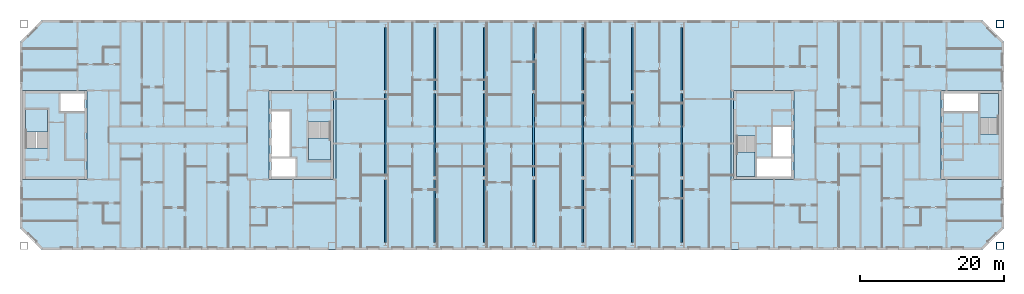
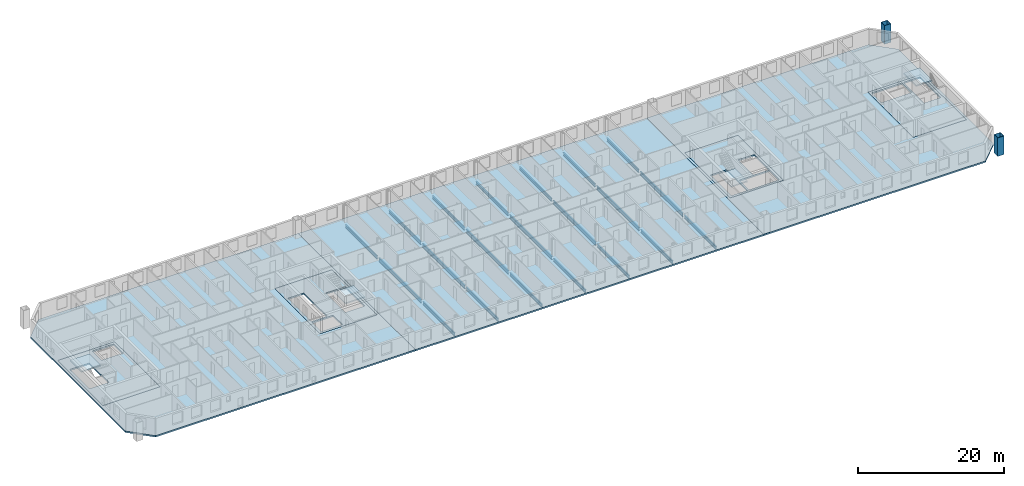
# One storey, part 3 of 19: 21 beams, 11 slabs, 2 columns, 4 elements without a shape of their own.
"""IFC4 building model written with IfcOpenShell, lengths in metres."""

from ifc_helpers import new_model, si_unit, direction, frame, origin, origin_2d, place, context, subcontext, project, spatial, polyline, hollow_rectangle, i_section, outline, extrude, material, layer, layer_set, material_profile, profile_set, type_object, element, aggregate, save


model = new_model("IFC4")

# Units and contexts
model_context = context("Model", 3, precision=1e-05, world=origin(), true_north=direction((0.0, 1.0)))
body_context = subcontext(model_context, "Body", "Model", "MODEL_VIEW")
ifc_project = project(units=[si_unit("LENGTHUNIT", "METRE"), si_unit("AREAUNIT", "SQUARE_METRE"), si_unit("VOLUMEUNIT", "CUBIC_METRE"), si_unit("PLANEANGLEUNIT", "RADIAN"), si_unit("MASSUNIT", "GRAM", prefix="KILO")], contexts=[model_context])

# Site, building, storey
site_placement = place(None, origin())
site = spatial("IfcSite", under=ifc_project, at=site_placement, CompositionType="ELEMENT")
building_placement = place(site_placement, origin())
building = spatial("IfcBuilding", under=site, at=building_placement, Name="Tuart Gate Housing", CompositionType="ELEMENT")
storey_placement = place(building_placement, frame((0.0, 0.0, 224.5)))
storey = spatial("IfcBuildingStorey", under=building, at=storey_placement, Name="L63", CompositionType="ELEMENT", Elevation=224.5)

# Columns
ifc_material_1 = material(Name="Steel Grade 350", Category="steel")
ifc_material_profile_1 = material_profile(ifc_material_1, hollow_rectangle(XDim=1.0, YDim=1.0, WallThickness=0.054931640625, at=origin_2d()), Name="BOX 1000x1000x55")
ifc_profile_set_1 = profile_set([ifc_material_profile_1], Name="Steel Grade 350")
column_type = type_object("IfcColumnType", Name="Mega column BOX 1000x1000x55", PredefinedType="COLUMN", material=ifc_profile_set_1)
for number, where, z_axis, x_axis, name in (
    (1, (168.449951171875, 54.550048828125, 0.0), (0.0, 0.0, 1.0), (1.0, 0.0, 0.0), "Mega column B south-east L63"),
    (2, (168.449951171875, 85.449951171875, 0.0), (0.0, 0.0, 1.0), (1.0, 0.0, 0.0), "Mega column B north-east L63"),
):
    element("IfcColumn", number, at=place(storey_placement, frame(where, z_axis=z_axis, x_axis=x_axis)), inside=storey, type_object=column_type, Name=name, PredefinedType="COLUMN", context=body_context, shape_type="SweptSolid", body=[
        extrude(hollow_rectangle(XDim=1.0, YDim=1.0, WallThickness=0.054931640625, at=origin_2d()), origin(), (0.0, 0.0, 1.0), 3.10009765625),
    ])

# Beams
ifc_material_2 = material(Name="Steel Grade 350", Category="steel")
ifc_material_profile_2 = material_profile(ifc_material_2, i_section(OverallWidth=0.208984375, OverallDepth=0.532958984375, WebThickness=0.01025390625, FlangeThickness=0.015625, at=origin_2d()), Name="530UB92.4")
ifc_profile_set_2 = profile_set([ifc_material_profile_2], Name="Steel Grade 350")
beam_type_1 = type_object("IfcBeamType", Name="Floor beam 530 UB92.4", PredefinedType="BEAM", material=ifc_profile_set_2)
for number, where, z_axis, x_axis, name in (
    (3, (82.875, 55.014892578125, -0.51611328125), (0.0, 1.0, 0.0), (-1.0, 0.0, 0.0), "Block floor beam L63 bay 1 position 1"),
    (4, (82.875, 76.215087890625, -0.51611328125), (0.0, 1.0, 0.0), (-1.0, 0.0, 0.0), "Block floor beam L63 bay 1 position 3"),
    (5, (89.75, 55.014892578125, -0.51611328125), (0.0, 1.0, 0.0), (-1.0, 0.0, 0.0), "Block floor beam L63 bay 2 position 1"),
    (6, (89.75, 76.215087890625, -0.51611328125), (0.0, 1.0, 0.0), (-1.0, 0.0, 0.0), "Block floor beam L63 bay 2 position 3"),
    (7, (96.625, 55.014892578125, -0.51611328125), (0.0, 1.0, 0.0), (-1.0, 0.0, 0.0), "Block floor beam L63 bay 3 position 1"),
    (8, (96.625, 76.215087890625, -0.51611328125), (0.0, 1.0, 0.0), (-1.0, 0.0, 0.0), "Block floor beam L63 bay 3 position 3"),
    (9, (103.5, 55.014892578125, -0.51611328125), (0.0, 1.0, 0.0), (-1.0, 0.0, 0.0), "Block floor beam L63 bay 4 position 1"),
    (10, (103.5, 76.215087890625, -0.51611328125), (0.0, 1.0, 0.0), (-1.0, 0.0, 0.0), "Block floor beam L63 bay 4 position 3"),
    (11, (110.375, 55.014892578125, -0.51611328125), (0.0, 1.0, 0.0), (-1.0, 0.0, 0.0), "Block floor beam L63 bay 5 position 1"),
    (12, (110.375, 76.215087890625, -0.51611328125), (0.0, 1.0, 0.0), (-1.0, 0.0, 0.0), "Block floor beam L63 bay 5 position 3"),
    (13, (117.25, 55.014892578125, -0.51611328125), (0.0, 1.0, 0.0), (-1.0, 0.0, 0.0), "Block floor beam L63 bay 6 position 1"),
    (14, (117.25, 76.215087890625, -0.51611328125), (0.0, 1.0, 0.0), (-1.0, 0.0, 0.0), "Block floor beam L63 bay 6 position 3"),
    (15, (124.125, 55.014892578125, -0.51611328125), (0.0, 1.0, 0.0), (-1.0, 0.0, 0.0), "Block floor beam L63 bay 7 position 1"),
    (16, (124.125, 76.215087890625, -0.51611328125), (0.0, 1.0, 0.0), (-1.0, 0.0, 0.0), "Block floor beam L63 bay 7 position 3"),
):
    element("IfcBeam", number, at=place(storey_placement, frame(where, z_axis=z_axis, x_axis=x_axis)), inside=storey, type_object=beam_type_1, Name=name, PredefinedType="BEAM", context=body_context, shape_type="SweptSolid", body=[
        extrude(i_section(OverallWidth=0.208984375, OverallDepth=0.532958984375, WebThickness=0.01025390625, FlangeThickness=0.015625, at=origin_2d()), origin(), (0.0, 0.0, 1.0), 8.77001953125),
    ])
ifc_material_3 = material(Name="Steel Grade 350", Category="steel")
ifc_material_profile_3 = material_profile(ifc_material_3, i_section(OverallWidth=0.22900390625, OverallDepth=0.612060546875, WebThickness=0.011962890625, FlangeThickness=0.01953125, at=origin_2d()), Name="610UB125")
ifc_profile_set_3 = profile_set([ifc_material_profile_3], Name="Steel Grade 350")
beam_type_2 = type_object("IfcBeamType", Name="Floor beam 610 UB125", PredefinedType="BEAM", material=ifc_profile_set_3)
for number, where, z_axis, x_axis, name in (
    (17, (82.875, 64.215087890625, -0.555908203125), (0.0, 1.0, 0.0), (-1.0, 0.0, 0.0), "Block floor beam L63 bay 1 position 2"),
    (18, (89.75, 64.215087890625, -0.555908203125), (0.0, 1.0, 0.0), (-1.0, 0.0, 0.0), "Block floor beam L63 bay 2 position 2"),
    (19, (96.625, 64.215087890625, -0.555908203125), (0.0, 1.0, 0.0), (-1.0, 0.0, 0.0), "Block floor beam L63 bay 3 position 2"),
    (20, (103.5, 64.215087890625, -0.555908203125), (0.0, 1.0, 0.0), (-1.0, 0.0, 0.0), "Block floor beam L63 bay 4 position 2"),
    (21, (110.375, 64.215087890625, -0.555908203125), (0.0, 1.0, 0.0), (-1.0, 0.0, 0.0), "Block floor beam L63 bay 5 position 2"),
    (22, (117.25, 64.215087890625, -0.555908203125), (0.0, 1.0, 0.0), (-1.0, 0.0, 0.0), "Block floor beam L63 bay 6 position 2"),
    (23, (124.125, 64.215087890625, -0.555908203125), (0.0, 1.0, 0.0), (-1.0, 0.0, 0.0), "Block floor beam L63 bay 7 position 2"),
):
    element("IfcBeam", number, at=place(storey_placement, frame(where, z_axis=z_axis, x_axis=x_axis)), inside=storey, type_object=beam_type_2, Name=name, PredefinedType="BEAM", context=body_context, shape_type="SweptSolid", body=[
        extrude(i_section(OverallWidth=0.22900390625, OverallDepth=0.612060546875, WebThickness=0.011962890625, FlangeThickness=0.01953125, at=origin_2d()), origin(), (0.0, 0.0, 1.0), 11.56982421875),
    ])

# Slabs
ifc_material_4 = material(Name="Concrete C40", Category="concrete")
ifc_layer_1 = layer(ifc_material_4, 0.25)
ifc_layer_set_1 = layer_set([ifc_layer_1], Name="Core floor slab 250")
slab_type_1 = type_object("IfcSlabType", Name="Core floor slab 250", PredefinedType="FLOOR", material=ifc_layer_set_1)
slab_1_placement = place(storey_placement, frame((0.0, 0.0, -0.25)))
element("IfcSlab", 24, at=slab_1_placement, inside=storey, type_object=slab_type_1, Name="Core floor AG", PredefinedType="FLOOR", context=body_context, shape_type="SweptSolid", body=[
    extrude(outline(polyline([(66.639892578125, 63.800048828125), (75.639892578125, 63.800048828125), (75.639892578125, 76.199951171875), (66.639892578125, 76.199951171875), (66.639892578125, 63.800048828125)]), holes=[polyline([(67.0400390625, 64.199951171875), (70.385009765625, 64.199951171875), (70.385009765625, 66.72509765625), (67.0400390625, 66.72509765625), (67.0400390625, 64.199951171875)]), polyline([(67.0400390625, 66.97509765625), (69.56494140625, 66.97509765625), (69.56494140625, 73.324951171875), (67.0400390625, 73.324951171875), (67.0400390625, 66.97509765625)]), polyline([(72.1650390625, 66.47509765625), (75.239990234375, 66.47509765625), (75.239990234375, 71.804931640625), (72.1650390625, 71.804931640625), (72.1650390625, 66.47509765625)])]), origin(), (0.0, 0.0, 1.0), 0.25),
])
slab_2_placement = place(storey_placement, frame((0.0, 0.0, -0.25)))
element("IfcSlab", 25, at=slab_2_placement, inside=storey, type_object=slab_type_1, Name="Core floor AK", PredefinedType="FLOOR", context=body_context, shape_type="SweptSolid", body=[
    extrude(outline(polyline([(32.360107421875, 63.800048828125), (41.360107421875, 63.800048828125), (41.360107421875, 76.199951171875), (32.360107421875, 76.199951171875), (32.360107421875, 63.800048828125)]), holes=[polyline([(40.9599609375, 75.800048828125), (37.614990234375, 75.800048828125), (37.614990234375, 73.27490234375), (40.9599609375, 73.27490234375), (40.9599609375, 75.800048828125)]), polyline([(35.8349609375, 73.52490234375), (32.760009765625, 73.52490234375), (32.760009765625, 68.195068359375), (35.8349609375, 68.195068359375), (35.8349609375, 73.52490234375)])]), origin(), (0.0, 0.0, 1.0), 0.25),
])
slab_3_placement = place(storey_placement, frame((0.0, 0.0, -0.25)))
element("IfcSlab", 26, at=slab_3_placement, inside=storey, type_object=slab_type_1, Name="Core floor BG", PredefinedType="FLOOR", context=body_context, shape_type="SweptSolid", body=[
    extrude(outline(polyline([(131.360107421875, 63.800048828125), (139.760009765625, 63.800048828125), (139.760009765625, 76.199951171875), (131.360107421875, 76.199951171875), (131.360107421875, 63.800048828125)]), holes=[polyline([(139.360107421875, 66.85009765625), (134.5849609375, 66.85009765625), (134.5849609375, 64.199951171875), (139.360107421875, 64.199951171875), (139.360107421875, 66.85009765625)]), polyline([(139.360107421875, 71.125), (136.8349609375, 71.125), (136.8349609375, 66.97509765625), (139.360107421875, 66.97509765625), (139.360107421875, 71.125)]), polyline([(134.3349609375, 69.85498046875), (131.760009765625, 69.85498046875), (131.760009765625, 64.199951171875), (134.3349609375, 64.199951171875), (134.3349609375, 69.85498046875)])]), origin(), (0.0, 0.0, 1.0), 0.25),
])
slab_4_placement = place(storey_placement, frame((0.0, 0.0, -0.25)))
element("IfcSlab", 27, at=slab_4_placement, inside=storey, type_object=slab_type_1, Name="Core floor BK", PredefinedType="FLOOR", context=body_context, shape_type="SweptSolid", body=[
    extrude(outline(polyline([(160.239990234375, 63.800048828125), (168.639892578125, 63.800048828125), (168.639892578125, 76.199951171875), (160.239990234375, 76.199951171875), (160.239990234375, 63.800048828125)]), holes=[polyline([(160.639892578125, 73.14990234375), (165.4150390625, 73.14990234375), (165.4150390625, 75.800048828125), (160.639892578125, 75.800048828125), (160.639892578125, 73.14990234375)]), polyline([(165.6650390625, 70.14501953125), (168.239990234375, 70.14501953125), (168.239990234375, 75.800048828125), (165.6650390625, 75.800048828125), (165.6650390625, 70.14501953125)])]), origin(), (0.0, 0.0, 1.0), 0.25),
])
ifc_material_5 = material(Name="Concrete C40", Category="concrete")
ifc_layer_2 = layer(ifc_material_5, 0.25)
ifc_layer_set_2 = layer_set([ifc_layer_2], Name="Flat plate 250")
slab_type_2 = type_object("IfcSlabType", Name="Flat plate 250", PredefinedType="FLOOR", material=ifc_layer_set_2)
slab_5_placement = place(storey_placement, frame((0.0, 0.0, -0.25)))
element("IfcSlab", 28, at=slab_5_placement, inside=storey, type_object=slab_type_2, Name="Floor slab A L63", PredefinedType="FLOOR", context=body_context, shape_type="SweptSolid", body=[
    extrude(outline(polyline([(35.0, 86.0), (32.0, 83.0), (32.0, 57.0), (35.0, 54.0), (76.0, 54.0), (76.0, 86.0), (35.0, 86.0)]), holes=[polyline([(66.639892578125, 76.199951171875), (75.639892578125, 76.199951171875), (75.639892578125, 63.800048828125), (66.639892578125, 63.800048828125), (66.639892578125, 76.199951171875)]), polyline([(41.360107421875, 76.199951171875), (41.360107421875, 63.800048828125), (32.360107421875, 63.800048828125), (32.360107421875, 76.199951171875), (41.360107421875, 76.199951171875)])]), origin(), (0.0, 0.0, 1.0), 0.25),
])
slab_6_placement = place(storey_placement, frame((0.0, 0.0, -0.25)))
element("IfcSlab", 29, at=slab_6_placement, inside=storey, type_object=slab_type_2, Name="Floor slab B L63", PredefinedType="FLOOR", context=body_context, shape_type="SweptSolid", body=[
    extrude(outline(polyline([(166.0, 86.0), (131.0, 86.0), (131.0, 54.0), (166.0, 54.0), (169.0, 57.0), (169.0, 83.0), (166.0, 86.0)]), holes=[polyline([(131.360107421875, 76.199951171875), (139.760009765625, 76.199951171875), (139.760009765625, 63.800048828125), (131.360107421875, 63.800048828125), (131.360107421875, 76.199951171875)]), polyline([(168.639892578125, 76.199951171875), (168.639892578125, 63.800048828125), (160.239990234375, 63.800048828125), (160.239990234375, 76.199951171875), (168.639892578125, 76.199951171875)])]), origin(), (0.0, 0.0, 1.0), 0.25),
])
slab_7_placement = place(storey_placement, frame((0.0, 0.0, -0.25)))
element("IfcSlab", 30, at=slab_7_placement, inside=storey, type_object=slab_type_2, Name="Link floor slab L63", PredefinedType="FLOOR", context=body_context, shape_type="SweptSolid", body=[
    extrude(outline(polyline([(76.0, 54.0), (131.0, 54.0), (131.0, 86.0), (76.0, 86.0), (76.0, 54.0)])), origin(), (0.0, 0.0, 1.0), 0.25),
])

# Stair, slab
ifc_material_6 = material(Name="Concrete C40", Category="concrete")
stair_type_1 = type_object("IfcStairType", Name="Core stair 1500", PredefinedType="HALF_TURN_STAIR", material=ifc_material_6)
stair_1_placement = place(storey_placement, origin())
stair_1 = element("IfcStair", 31, at=stair_1_placement, inside=storey, type_object=stair_type_1, Name="Stair SA1", PredefinedType="HALF_TURN_STAIR")
ifc_material_7 = material(Name="Concrete C40", Category="concrete")
ifc_layer_3 = layer(ifc_material_7, 0.199951171875)
ifc_layer_set_3 = layer_set([ifc_layer_3], Name="Stair landing 200")
slab_type_3 = type_object("IfcSlabType", Name="Stair landing 200", PredefinedType="LANDING", material=ifc_layer_set_3)
slab_8_placement = place(storey_placement, frame((0.0, 0.0, 1.35009765625)))
slab_8 = element("IfcSlab", 32, at=slab_8_placement, type_object=slab_type_3, Name="SA1 landing 1", PredefinedType="LANDING", context=body_context, shape_type="SweptSolid", body=[
    extrude(outline(polyline([(72.1650390625, 66.47509765625), (75.239990234375, 66.47509765625), (75.239990234375, 69.5849609375), (72.1650390625, 69.5849609375), (72.1650390625, 66.47509765625)])), origin(), (0.0, 0.0, 1.0), 0.199951171875),
])
aggregate(stair_1, [slab_8])

stair_2_placement = place(storey_placement, origin())
stair_2 = element("IfcStair", 33, at=stair_2_placement, inside=storey, type_object=stair_type_1, Name="Stair SA2", PredefinedType="HALF_TURN_STAIR")
slab_9_placement = place(storey_placement, frame((0.0, 0.0, 1.35009765625)))
slab_9 = element("IfcSlab", 34, at=slab_9_placement, type_object=slab_type_3, Name="SA2 landing 1", PredefinedType="LANDING", context=body_context, shape_type="SweptSolid", body=[
    extrude(outline(polyline([(35.8349609375, 73.52490234375), (32.760009765625, 73.52490234375), (32.760009765625, 70.4150390625), (35.8349609375, 70.4150390625), (35.8349609375, 73.52490234375)])), origin(), (0.0, 0.0, 1.0), 0.199951171875),
])
aggregate(stair_2, [slab_9])

ifc_material_8 = material(Name="Concrete C40", Category="concrete")
stair_type_2 = type_object("IfcStairType", Name="Core stair 1250", PredefinedType="HALF_TURN_STAIR", material=ifc_material_8)
stair_3_placement = place(storey_placement, origin())
stair_3 = element("IfcStair", 35, at=stair_3_placement, inside=storey, type_object=stair_type_2, Name="Stair SB1", PredefinedType="HALF_TURN_STAIR")
slab_10_placement = place(storey_placement, frame((0.0, 0.0, 1.35009765625)))
slab_10 = element("IfcSlab", 36, at=slab_10_placement, type_object=slab_type_3, Name="SB1 landing 1", PredefinedType="LANDING", context=body_context, shape_type="SweptSolid", body=[
    extrude(outline(polyline([(134.3349609375, 67.635009765625), (131.760009765625, 67.635009765625), (131.760009765625, 64.199951171875), (134.3349609375, 64.199951171875), (134.3349609375, 67.635009765625)])), origin(), (0.0, 0.0, 1.0), 0.199951171875),
])
aggregate(stair_3, [slab_10])

stair_4_placement = place(storey_placement, origin())
stair_4 = element("IfcStair", 37, at=stair_4_placement, inside=storey, type_object=stair_type_2, Name="Stair SB2", PredefinedType="HALF_TURN_STAIR")
slab_11_placement = place(storey_placement, frame((0.0, 0.0, 1.35009765625)))
slab_11 = element("IfcSlab", 38, at=slab_11_placement, type_object=slab_type_3, Name="SB2 landing 1", PredefinedType="LANDING", context=body_context, shape_type="SweptSolid", body=[
    extrude(outline(polyline([(165.6650390625, 72.364990234375), (168.239990234375, 72.364990234375), (168.239990234375, 75.800048828125), (165.6650390625, 75.800048828125), (165.6650390625, 72.364990234375)])), origin(), (0.0, 0.0, 1.0), 0.199951171875),
])
aggregate(stair_4, [slab_11])

save(model, "model.ifc")
